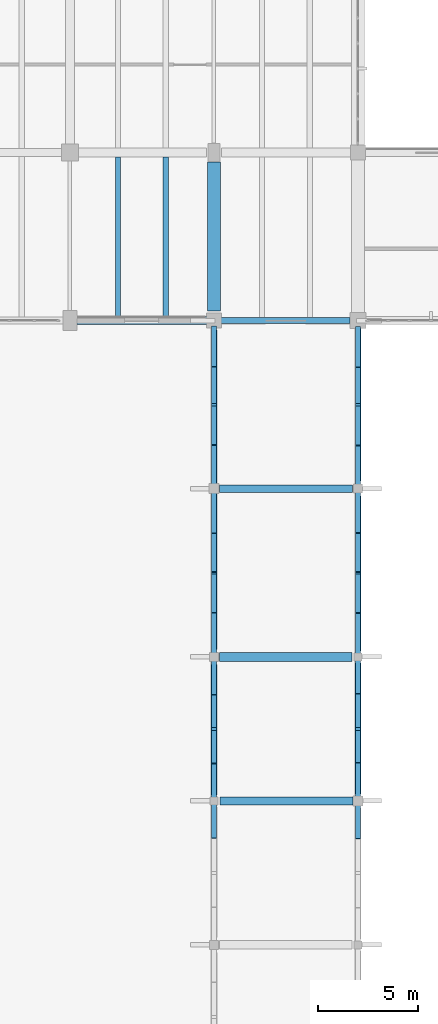
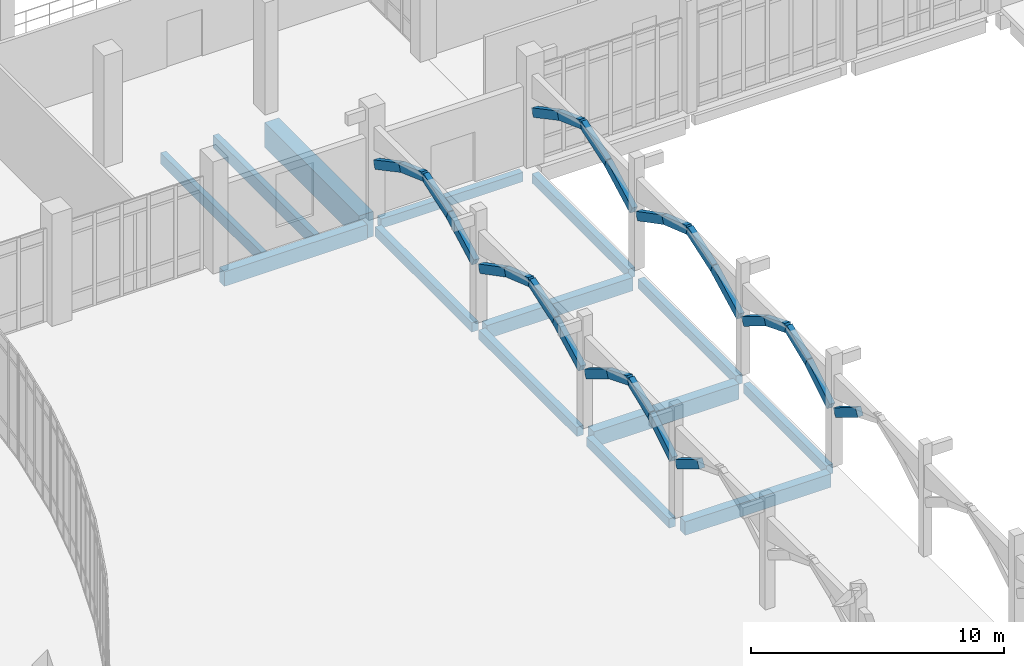
# One storey, part 52 of 110: 26 members, 14 beams.
"""IFC4 building model written with IfcOpenShell, lengths in metres."""

from ifc_helpers import new_model, si_unit, direction, frame, origin, origin_2d, place, context, subcontext, project, spatial, rectangle, extrude, material, material_profile, profile_set, type_object, element, save


model = new_model("IFC4")

# Units and contexts
model_context = context("Model", 3, precision=1e-05, world=origin(), true_north=direction((0.0, 1.0)))
body_context = subcontext(model_context, "Body", "Model", "MODEL_VIEW")
ifc_project = project(units=[si_unit("LENGTHUNIT", "METRE"), si_unit("AREAUNIT", "SQUARE_METRE"), si_unit("VOLUMEUNIT", "CUBIC_METRE"), si_unit("PLANEANGLEUNIT", "RADIAN"), si_unit("MASSUNIT", "GRAM", prefix="KILO")], contexts=[model_context])

# Site, building, storey
site_placement = place(None, origin())
site = spatial("IfcSite", under=ifc_project, at=site_placement, CompositionType="ELEMENT")
building_placement = place(site_placement, origin())
building = spatial("IfcBuilding", under=site, at=building_placement, Name="Kalluvel Institute of Natural Sciences", CompositionType="ELEMENT")
storey_placement = place(building_placement, origin())
storey = spatial("IfcBuildingStorey", under=building, at=storey_placement, Name="L00", CompositionType="ELEMENT", Elevation=0.0)

# Beams
ifc_material_1 = material(Name="Concrete M40", Category="concrete")
ifc_material_profile_1 = material_profile(ifc_material_1, rectangle(XDim=0.3798828125, YDim=0.639892578125, at=origin_2d()), Name="RCB 380x640")
ifc_profile_set_1 = profile_set([ifc_material_profile_1], Name="Concrete M40")
beam_type_1 = type_object("IfcBeamType", Name="BM-RC380x640", PredefinedType="BEAM", material=ifc_profile_set_1)
beam_1_placement = place(storey_placement, frame((107.875, 94.39990234375, -0.639892578125), z_axis=(1.0, 0.0, 0.0), x_axis=(0.0, 1.0, 0.0)))
element("IfcBeam", 1, at=beam_1_placement, inside=storey, type_object=beam_type_1, Name="L00 girder GIR-L00-EW-X1076-Y944", PredefinedType="BEAM", context=body_context, shape_type="SweptSolid", body=[
    extrude(rectangle(XDim=0.3798828125, YDim=0.639892578125, at=origin_2d()), origin(), (0.0, 0.0, 1.0), 6.64990234375),
])
ifc_material_profile_2 = material_profile(ifc_material_1, rectangle(XDim=0.39990234375, YDim=0.64990234375, at=origin_2d()), Name="RCB 400x650")
ifc_profile_set_2 = profile_set([ifc_material_profile_2], Name="Concrete M40")
beam_type_2 = type_object("IfcBeamType", Name="BM-RC400x650", PredefinedType="BEAM", material=ifc_profile_set_2)
beam_2_placement = place(storey_placement, frame((107.89990234375, 78.800048828125, -0.64501953125), z_axis=(1.0, 0.0, 0.0), x_axis=(0.0, 1.0, 0.0)))
element("IfcBeam", 2, at=beam_2_placement, inside=storey, type_object=beam_type_2, Name="L00 girder GIR-L00-EW-X1076-Y788", PredefinedType="BEAM", context=body_context, shape_type="SweptSolid", body=[
    extrude(rectangle(XDim=0.39990234375, YDim=0.64990234375, at=origin_2d()), origin(), (0.0, 0.0, 1.0), 6.650146484375),
])
ifc_material_profile_3 = material_profile(ifc_material_1, rectangle(XDim=0.449951171875, YDim=0.75, at=origin_2d()), Name="RCB 450x750")
ifc_profile_set_3 = profile_set([ifc_material_profile_3], Name="Concrete M40")
beam_type_3 = type_object("IfcBeamType", Name="BM-RC450x750", PredefinedType="BEAM", material=ifc_profile_set_3)
beam_3_placement = place(storey_placement, frame((107.875, 86.0, -0.695068359375), z_axis=(1.0, 0.0, 0.0), x_axis=(0.0, 1.0, 0.0)))
element("IfcBeam", 3, at=beam_3_placement, inside=storey, type_object=beam_type_3, Name="L00 girder GIR-L00-EW-X1076-Y860", PredefinedType="BEAM", context=body_context, shape_type="SweptSolid", body=[
    extrude(rectangle(XDim=0.449951171875, YDim=0.75, at=origin_2d()), origin(), (0.0, 0.0, 1.0), 6.625),
])
ifc_material_2 = material(Name="Concrete M50", Category="concrete")
ifc_material_profile_4 = material_profile(ifc_material_2, rectangle(XDim=0.64990234375, YDim=1.199951171875, at=origin_2d()), Name="RCB 650x1200")
ifc_profile_set_4 = profile_set([ifc_material_profile_4], Name="Concrete M50")
beam_type_4 = type_object("IfcBeamType", Name="BM-RC650x1200", PredefinedType="BEAM", material=ifc_profile_set_4)
beam_4_placement = place(storey_placement, frame((107.60009765625, 103.27490234375, -0.919921875), z_axis=(0.0, 1.0, 0.0), x_axis=(-1.0, 0.0, 0.0)))
element("IfcBeam", 4, at=beam_4_placement, inside=storey, type_object=beam_type_4, Name="L00 girder GIR-L00-NS-X1076-Y1028", PredefinedType="BEAM", context=body_context, shape_type="SweptSolid", body=[
    extrude(rectangle(XDim=0.64990234375, YDim=1.199951171875, at=origin_2d()), origin(), (0.0, 0.0, 1.0), 7.4501953125),
])

# Members
ifc_material_3 = material(Name="Sadarahalli Granite Precast Concrete M45", Category="masonry")
ifc_material_profile_5 = material_profile(ifc_material_3, rectangle(XDim=0.25, YDim=0.39990234375, at=origin_2d()), Name="RCB 250x400")
ifc_profile_set_5 = profile_set([ifc_material_profile_5], Name="Sadarahalli Granite Precast Concrete M45")
member_type = type_object("IfcMemberType", Name="MB-CL-ARCH250", PredefinedType="USERDEFINED", material=ifc_profile_set_5)
member_1_placement = place(storey_placement, frame((107.60009765625, 76.845703125, 3.679931640625), z_axis=(0.0, 0.853581578876, -0.520959200134), x_axis=(-1.0, 0.0, 0.0)))
element("IfcMember", 5, at=member_1_placement, inside=storey, type_object=member_type, Name="Gothic cloister pointed-lancet arch segment 116", ObjectType="ARCH_SEGMENT", PredefinedType="USERDEFINED", context=body_context, shape_type="SweptSolid", body=[
    extrude(rectangle(XDim=0.25, YDim=0.39990234375, at=origin_2d()), origin(), (0.0, 0.0, 1.0), 2.07275390625),
])
member_2_placement = place(storey_placement, frame((114.800048828125, 76.80224609375, 3.679931640625), z_axis=(0.0, 0.852714959233, -0.522376490954), x_axis=(-1.0, 0.0, 0.0)))
element("IfcMember", 6, at=member_2_placement, inside=storey, type_object=member_type, Name="Gothic cloister pointed-lancet arch segment 120", ObjectType="ARCH_SEGMENT", PredefinedType="USERDEFINED", context=body_context, shape_type="SweptSolid", body=[
    extrude(rectangle(XDim=0.25, YDim=0.39990234375, at=origin_2d()), origin(), (0.0, 0.0, 1.0), 2.067138671875),
])
member_3_placement = place(storey_placement, frame((107.60009765625, 78.985107421875, 2.60009765625), z_axis=(0.0, 0.853581578876, 0.520959200134), x_axis=(-1.0, 0.0, 0.0)))
element("IfcMember", 7, at=member_3_placement, inside=storey, type_object=member_type, Name="Gothic cloister pointed-lancet arch segment 121", ObjectType="ARCH_SEGMENT", PredefinedType="USERDEFINED", context=body_context, shape_type="SweptSolid", body=[
    extrude(rectangle(XDim=0.25, YDim=0.39990234375, at=origin_2d()), origin(), (0.0, 0.0, 1.0), 2.07275390625),
])
member_4_placement = place(storey_placement, frame((107.60009765625, 80.75439453125, 3.679931640625), z_axis=(0.0, 0.928096343837, 0.372340135569), x_axis=(-1.0, 0.0, 0.0)))
element("IfcMember", 8, at=member_4_placement, inside=storey, type_object=member_type, Name="Gothic cloister pointed-lancet arch segment 122", ObjectType="ARCH_SEGMENT", PredefinedType="USERDEFINED", context=body_context, shape_type="SweptSolid", body=[
    extrude(rectangle(XDim=0.25, YDim=0.39990234375, at=origin_2d()), origin(), (0.0, 0.0, 1.0), 1.77294921875),
])
member_5_placement = place(storey_placement, frame((107.60009765625, 82.39990234375, 4.340087890625), z_axis=(0.0, 0.926130265852, -0.377203831731), x_axis=(-1.0, 0.0, 0.0)))
element("IfcMember", 9, at=member_5_placement, inside=storey, type_object=member_type, Name="Gothic cloister pointed-lancet arch segment 123", ObjectType="ARCH_SEGMENT", PredefinedType="USERDEFINED", context=body_context, shape_type="SweptSolid", body=[
    extrude(rectangle(XDim=0.25, YDim=0.39990234375, at=origin_2d()), origin(), (0.0, 0.0, 1.0), 1.750244140625),
])
member_6_placement = place(storey_placement, frame((107.60009765625, 84.020751953125, 3.679931640625), z_axis=(0.0, 0.853581578876, -0.520959200134), x_axis=(-1.0, 0.0, 0.0)))
element("IfcMember", 10, at=member_6_placement, inside=storey, type_object=member_type, Name="Gothic cloister pointed-lancet arch segment 124", ObjectType="ARCH_SEGMENT", PredefinedType="USERDEFINED", context=body_context, shape_type="SweptSolid", body=[
    extrude(rectangle(XDim=0.25, YDim=0.39990234375, at=origin_2d()), origin(), (0.0, 0.0, 1.0), 2.07275390625),
])
member_7_placement = place(storey_placement, frame((114.800048828125, 79.034912109375, 2.60009765625), z_axis=(0.0, 0.852747182407, 0.522323886967), x_axis=(-1.0, 0.0, 0.0)))
element("IfcMember", 11, at=member_7_placement, inside=storey, type_object=member_type, Name="Gothic cloister pointed-lancet arch segment 125", ObjectType="ARCH_SEGMENT", PredefinedType="USERDEFINED", context=body_context, shape_type="SweptSolid", body=[
    extrude(rectangle(XDim=0.25, YDim=0.39990234375, at=origin_2d()), origin(), (0.0, 0.0, 1.0), 2.0673828125),
])
member_8_placement = place(storey_placement, frame((114.800048828125, 80.7978515625, 3.679931640625), z_axis=(0.0, 0.924578854219, 0.380990737855), x_axis=(-1.0, 0.0, 0.0)))
element("IfcMember", 12, at=member_8_placement, inside=storey, type_object=member_type, Name="Gothic cloister pointed-lancet arch segment 126", ObjectType="ARCH_SEGMENT", PredefinedType="USERDEFINED", context=body_context, shape_type="SweptSolid", body=[
    extrude(rectangle(XDim=0.25, YDim=0.39990234375, at=origin_2d()), origin(), (0.0, 0.0, 1.0), 1.732666015625),
])
member_9_placement = place(storey_placement, frame((114.800048828125, 82.39990234375, 4.340087890625), z_axis=(0.0, 0.928628016361, -0.371012138924), x_axis=(-1.0, 0.0, 0.0)))
element("IfcMember", 13, at=member_9_placement, inside=storey, type_object=member_type, Name="Gothic cloister pointed-lancet arch segment 127", ObjectType="ARCH_SEGMENT", PredefinedType="USERDEFINED", context=body_context, shape_type="SweptSolid", body=[
    extrude(rectangle(XDim=0.25, YDim=0.39990234375, at=origin_2d()), origin(), (0.0, 0.0, 1.0), 1.779296875),
])
member_10_placement = place(storey_placement, frame((114.800048828125, 84.05224609375, 3.679931640625), z_axis=(0.0, 0.852714959233, -0.522376490954), x_axis=(-1.0, 0.0, 0.0)))
element("IfcMember", 14, at=member_10_placement, inside=storey, type_object=member_type, Name="Gothic cloister pointed-lancet arch segment 128", ObjectType="ARCH_SEGMENT", PredefinedType="USERDEFINED", context=body_context, shape_type="SweptSolid", body=[
    extrude(rectangle(XDim=0.25, YDim=0.39990234375, at=origin_2d()), origin(), (0.0, 0.0, 1.0), 2.067138671875),
])
member_11_placement = place(storey_placement, frame((107.60009765625, 86.2099609375, 2.60009765625), z_axis=(0.0, 0.886463545391, 0.462798425551), x_axis=(-1.0, 0.0, 0.0)))
element("IfcMember", 15, at=member_11_placement, inside=storey, type_object=member_type, Name="Gothic cloister pointed-lancet arch segment 129", ObjectType="ARCH_SEGMENT", PredefinedType="USERDEFINED", context=body_context, shape_type="SweptSolid", body=[
    extrude(rectangle(XDim=0.25, YDim=0.39990234375, at=origin_2d()), origin(), (0.0, 0.0, 1.0), 2.333251953125),
])
member_12_placement = place(storey_placement, frame((107.60009765625, 88.2783203125, 3.679931640625), z_axis=(0.0, 0.945747762417, 0.32490178498), x_axis=(-1.0, 0.0, 0.0)))
element("IfcMember", 16, at=member_12_placement, inside=storey, type_object=member_type, Name="Gothic cloister pointed-lancet arch segment 130", ObjectType="ARCH_SEGMENT", PredefinedType="USERDEFINED", context=body_context, shape_type="SweptSolid", body=[
    extrude(rectangle(XDim=0.25, YDim=0.39990234375, at=origin_2d()), origin(), (0.0, 0.0, 1.0), 2.031982421875),
])
member_13_placement = place(storey_placement, frame((107.60009765625, 90.199951171875, 4.340087890625), z_axis=(0.0, 0.944431178384, -0.328709216933), x_axis=(-1.0, 0.0, 0.0)))
element("IfcMember", 17, at=member_13_placement, inside=storey, type_object=member_type, Name="Gothic cloister pointed-lancet arch segment 131", ObjectType="ARCH_SEGMENT", PredefinedType="USERDEFINED", context=body_context, shape_type="SweptSolid", body=[
    extrude(rectangle(XDim=0.25, YDim=0.39990234375, at=origin_2d()), origin(), (0.0, 0.0, 1.0), 2.00830078125),
])
member_14_placement = place(storey_placement, frame((107.60009765625, 92.0966796875, 3.679931640625), z_axis=(0.0, 0.886463545391, -0.462798425551), x_axis=(-1.0, 0.0, 0.0)))
element("IfcMember", 18, at=member_14_placement, inside=storey, type_object=member_type, Name="Gothic cloister pointed-lancet arch segment 132", ObjectType="ARCH_SEGMENT", PredefinedType="USERDEFINED", context=body_context, shape_type="SweptSolid", body=[
    extrude(rectangle(XDim=0.25, YDim=0.39990234375, at=origin_2d()), origin(), (0.0, 0.0, 1.0), 2.333251953125),
])
member_15_placement = place(storey_placement, frame((114.800048828125, 86.18505859375, 2.60009765625), z_axis=(0.0, 0.887642615962, 0.46053293729), x_axis=(-1.0, 0.0, 0.0)))
element("IfcMember", 19, at=member_15_placement, inside=storey, type_object=member_type, Name="Gothic cloister pointed-lancet arch segment 133", ObjectType="ARCH_SEGMENT", PredefinedType="USERDEFINED", context=body_context, shape_type="SweptSolid", body=[
    extrude(rectangle(XDim=0.25, YDim=0.39990234375, at=origin_2d()), origin(), (0.0, 0.0, 1.0), 2.3447265625),
])
member_16_placement = place(storey_placement, frame((114.800048828125, 88.266357421875, 3.679931640625), z_axis=(0.0, 0.946364115058, 0.323102091808), x_axis=(-1.0, 0.0, 0.0)))
element("IfcMember", 20, at=member_16_placement, inside=storey, type_object=member_type, Name="Gothic cloister pointed-lancet arch segment 134", ObjectType="ARCH_SEGMENT", PredefinedType="USERDEFINED", context=body_context, shape_type="SweptSolid", body=[
    extrude(rectangle(XDim=0.25, YDim=0.39990234375, at=origin_2d()), origin(), (0.0, 0.0, 1.0), 2.043212890625),
])
member_17_placement = place(storey_placement, frame((114.800048828125, 90.199951171875, 4.340087890625), z_axis=(0.0, 0.94506939987, -0.326869743828), x_axis=(-1.0, 0.0, 0.0)))
element("IfcMember", 21, at=member_17_placement, inside=storey, type_object=member_type, Name="Gothic cloister pointed-lancet arch segment 135", ObjectType="ARCH_SEGMENT", PredefinedType="USERDEFINED", context=body_context, shape_type="SweptSolid", body=[
    extrude(rectangle(XDim=0.25, YDim=0.39990234375, at=origin_2d()), origin(), (0.0, 0.0, 1.0), 2.01953125),
])
member_18_placement = place(storey_placement, frame((114.800048828125, 92.108642578125, 3.679931640625), z_axis=(0.0, 0.887642615962, -0.46053293729), x_axis=(-1.0, 0.0, 0.0)))
element("IfcMember", 22, at=member_18_placement, inside=storey, type_object=member_type, Name="Gothic cloister pointed-lancet arch segment 136", ObjectType="ARCH_SEGMENT", PredefinedType="USERDEFINED", context=body_context, shape_type="SweptSolid", body=[
    extrude(rectangle(XDim=0.25, YDim=0.39990234375, at=origin_2d()), origin(), (0.0, 0.0, 1.0), 2.3447265625),
])
member_19_placement = place(storey_placement, frame((107.60009765625, 94.635009765625, 2.60009765625), z_axis=(0.0, 0.882796488424, 0.469755638631), x_axis=(-1.0, 0.0, 0.0)))
element("IfcMember", 23, at=member_19_placement, inside=storey, type_object=member_type, Name="Gothic cloister pointed-lancet arch segment 137", ObjectType="ARCH_SEGMENT", PredefinedType="USERDEFINED", context=body_context, shape_type="SweptSolid", body=[
    extrude(rectangle(XDim=0.25, YDim=0.39990234375, at=origin_2d()), origin(), (0.0, 0.0, 1.0), 2.298828125),
])
member_20_placement = place(storey_placement, frame((107.60009765625, 96.664306640625, 3.679931640625), z_axis=(0.0, 0.946476211675, 0.322773575024), x_axis=(-1.0, 0.0, 0.0)))
element("IfcMember", 24, at=member_20_placement, inside=storey, type_object=member_type, Name="Gothic cloister pointed-lancet arch segment 138", ObjectType="ARCH_SEGMENT", PredefinedType="USERDEFINED", context=body_context, shape_type="SweptSolid", body=[
    extrude(rectangle(XDim=0.25, YDim=0.39990234375, at=origin_2d()), origin(), (0.0, 0.0, 1.0), 2.045166015625),
])
member_21_placement = place(storey_placement, frame((107.60009765625, 98.60009765625, 4.340087890625), z_axis=(0.0, 0.939497164239, -0.342556679086), x_axis=(-1.0, 0.0, 0.0)))
element("IfcMember", 25, at=member_21_placement, inside=storey, type_object=member_type, Name="Gothic cloister pointed-lancet arch segment 139", ObjectType="ARCH_SEGMENT", PredefinedType="USERDEFINED", context=body_context, shape_type="SweptSolid", body=[
    extrude(rectangle(XDim=0.25, YDim=0.39990234375, at=origin_2d()), origin(), (0.0, 0.0, 1.0), 1.92724609375),
])
for number, where, z_axis, x_axis, name in (
    (26, (107.60009765625, 100.41064453125, 3.679931640625), (0.0, 0.882796488424, -0.469755638631), (-1.0, 0.0, 0.0), "Gothic cloister pointed-lancet arch segment 140"),
    (27, (114.800048828125, 94.610107421875, 2.60009765625), (0.0, 0.882796488424, 0.469755638631), (-1.0, 0.0, 0.0), "Gothic cloister pointed-lancet arch segment 141"),
):
    element("IfcMember", number, at=place(storey_placement, frame(where, z_axis=z_axis, x_axis=x_axis)), inside=storey, type_object=member_type, Name=name, ObjectType="ARCH_SEGMENT", PredefinedType="USERDEFINED", context=body_context, shape_type="SweptSolid", body=[
        extrude(rectangle(XDim=0.25, YDim=0.39990234375, at=origin_2d()), origin(), (0.0, 0.0, 1.0), 2.298828125),
    ])
member_22_placement = place(storey_placement, frame((114.800048828125, 96.639404296875, 3.679931640625), z_axis=(0.0, 0.947723098422, 0.319093918333), x_axis=(-1.0, 0.0, 0.0)))
element("IfcMember", 28, at=member_22_placement, inside=storey, type_object=member_type, Name="Gothic cloister pointed-lancet arch segment 142", ObjectType="ARCH_SEGMENT", PredefinedType="USERDEFINED", context=body_context, shape_type="SweptSolid", body=[
    extrude(rectangle(XDim=0.25, YDim=0.39990234375, at=origin_2d()), origin(), (0.0, 0.0, 1.0), 2.06884765625),
])
member_23_placement = place(storey_placement, frame((114.800048828125, 98.60009765625, 4.340087890625), z_axis=(0.0, 0.937952793806, -0.346762968888), x_axis=(-1.0, 0.0, 0.0)))
element("IfcMember", 29, at=member_23_placement, inside=storey, type_object=member_type, Name="Gothic cloister pointed-lancet arch segment 143", ObjectType="ARCH_SEGMENT", PredefinedType="USERDEFINED", context=body_context, shape_type="SweptSolid", body=[
    extrude(rectangle(XDim=0.25, YDim=0.39990234375, at=origin_2d()), origin(), (0.0, 0.0, 1.0), 1.90380859375),
])
member_24_placement = place(storey_placement, frame((114.800048828125, 100.3857421875, 3.679931640625), z_axis=(0.0, 0.882796488424, -0.469755638631), x_axis=(-1.0, 0.0, 0.0)))
element("IfcMember", 30, at=member_24_placement, inside=storey, type_object=member_type, Name="Gothic cloister pointed-lancet arch segment 144", ObjectType="ARCH_SEGMENT", PredefinedType="USERDEFINED", context=body_context, shape_type="SweptSolid", body=[
    extrude(rectangle(XDim=0.25, YDim=0.39990234375, at=origin_2d()), origin(), (0.0, 0.0, 1.0), 2.298828125),
])

# Beams
ifc_material_profile_6 = material_profile(ifc_material_1, rectangle(XDim=0.300048828125, YDim=0.449951171875, at=origin_2d()), Name="RCB 300x450")
ifc_profile_set_6 = profile_set([ifc_material_profile_6], Name="Concrete M40")
beam_type_5 = type_object("IfcBeamType", Name="SP-RC300x450", PredefinedType="SPANDREL", material=ifc_profile_set_6)
beam_5_placement = place(storey_placement, frame((107.925048828125, 102.800048828125, -0.544921875), z_axis=(1.0, 0.0, 0.0), x_axis=(0.0, 1.0, 0.0)))
element("IfcBeam", 31, at=beam_5_placement, inside=storey, type_object=beam_type_5, Name="L00 girder GIR-L00-EW-X1076-Y1028", PredefinedType="SPANDREL", context=body_context, shape_type="SweptSolid", body=[
    extrude(rectangle(XDim=0.300048828125, YDim=0.449951171875, at=origin_2d()), origin(), (0.0, 0.0, 1.0), 6.474853515625),
])
beam_6_placement = place(storey_placement, frame((107.60009765625, 79.10009765625, -0.544921875), z_axis=(0.0, 1.0, 0.0), x_axis=(-1.0, 0.0, 0.0)))
element("IfcBeam", 32, at=beam_6_placement, inside=storey, type_object=beam_type_5, Name="L00 girder GIR-L00-NS-X1076-Y788", PredefinedType="SPANDREL", context=body_context, shape_type="SweptSolid", body=[
    extrude(rectangle(XDim=0.300048828125, YDim=0.449951171875, at=origin_2d()), origin(), (0.0, 0.0, 1.0), 6.52490234375),
])
beam_7_placement = place(storey_placement, frame((107.60009765625, 86.375, -0.544921875), z_axis=(0.0, 1.0, 0.0), x_axis=(-1.0, 0.0, 0.0)))
element("IfcBeam", 33, at=beam_7_placement, inside=storey, type_object=beam_type_5, Name="L00 girder GIR-L00-NS-X1076-Y860", PredefinedType="SPANDREL", context=body_context, shape_type="SweptSolid", body=[
    extrude(rectangle(XDim=0.300048828125, YDim=0.449951171875, at=origin_2d()), origin(), (0.0, 0.0, 1.0), 7.75),
])
beam_8_placement = place(storey_placement, frame((107.60009765625, 94.675048828125, -0.544921875), z_axis=(0.0, 1.0, 0.0), x_axis=(-1.0, 0.0, 0.0)))
element("IfcBeam", 34, at=beam_8_placement, inside=storey, type_object=beam_type_5, Name="L00 girder GIR-L00-NS-X1076-Y944", PredefinedType="SPANDREL", context=body_context, shape_type="SweptSolid", body=[
    extrude(rectangle(XDim=0.300048828125, YDim=0.449951171875, at=origin_2d()), origin(), (0.0, 0.0, 1.0), 7.64990234375),
])
beam_9_placement = place(storey_placement, frame((114.800048828125, 79.14990234375, -0.544921875), z_axis=(0.0, 1.0, 0.0), x_axis=(-1.0, 0.0, 0.0)))
element("IfcBeam", 35, at=beam_9_placement, inside=storey, type_object=beam_type_5, Name="L00 girder GIR-L00-NS-X1148-Y788", PredefinedType="SPANDREL", context=body_context, shape_type="SweptSolid", body=[
    extrude(rectangle(XDim=0.300048828125, YDim=0.449951171875, at=origin_2d()), origin(), (0.0, 0.0, 1.0), 6.550048828125),
])
beam_10_placement = place(storey_placement, frame((114.800048828125, 86.300048828125, -0.544921875), z_axis=(0.0, 1.0, 0.0), x_axis=(-1.0, 0.0, 0.0)))
element("IfcBeam", 36, at=beam_10_placement, inside=storey, type_object=beam_type_5, Name="L00 girder GIR-L00-NS-X1148-Y860", PredefinedType="SPANDREL", context=body_context, shape_type="SweptSolid", body=[
    extrude(rectangle(XDim=0.300048828125, YDim=0.449951171875, at=origin_2d()), origin(), (0.0, 0.0, 1.0), 7.724853515625),
])
beam_11_placement = place(storey_placement, frame((114.800048828125, 94.77490234375, -0.544921875), z_axis=(0.0, 1.0, 0.0), x_axis=(-1.0, 0.0, 0.0)))
element("IfcBeam", 37, at=beam_11_placement, inside=storey, type_object=beam_type_5, Name="L00 girder GIR-L00-NS-X1148-Y944", PredefinedType="SPANDREL", context=body_context, shape_type="SweptSolid", body=[
    extrude(rectangle(XDim=0.300048828125, YDim=0.449951171875, at=origin_2d()), origin(), (0.0, 0.0, 1.0), 7.625),
])
ifc_material_profile_7 = material_profile(ifc_material_1, rectangle(XDim=0.39990234375, YDim=0.699951171875, at=origin_2d()), Name="RCB 400x700")
ifc_profile_set_7 = profile_set([ifc_material_profile_7], Name="Concrete M40")
beam_type_6 = type_object("IfcBeamType", Name="SP-RC400x700", PredefinedType="SPANDREL", material=ifc_profile_set_7)
beam_12_placement = place(storey_placement, frame((100.75, 102.800048828125, -0.669921875), z_axis=(1.0, 0.0, 0.0), x_axis=(0.0, 1.0, 0.0)))
element("IfcBeam", 38, at=beam_12_placement, inside=storey, type_object=beam_type_6, Name="L00 girder GIR-L00-EW-X1004-Y1028", PredefinedType="SPANDREL", context=body_context, shape_type="SweptSolid", body=[
    extrude(rectangle(XDim=0.39990234375, YDim=0.699951171875, at=origin_2d()), origin(), (0.0, 0.0, 1.0), 6.52490234375),
])
ifc_material_profile_8 = material_profile(ifc_material_1, rectangle(XDim=0.25, YDim=0.550048828125, at=origin_2d()), Name="WAF 250x550")
ifc_profile_set_8 = profile_set([ifc_material_profile_8], Name="Concrete M40")
beam_type_7 = type_object("IfcBeamType", Name="WJ-250x550", PredefinedType="JOIST", material=ifc_profile_set_8)
beam_13_placement = place(storey_placement, frame((102.800048828125, 103.0, -0.594970703125), z_axis=(0.0, 1.0, 0.0), x_axis=(-1.0, 0.0, 0.0)))
element("IfcBeam", 39, at=beam_13_placement, inside=storey, type_object=beam_type_7, Name="L00 waffle joist RIB-L00-0060", PredefinedType="JOIST", context=body_context, shape_type="SweptSolid", body=[
    extrude(rectangle(XDim=0.25, YDim=0.550048828125, at=origin_2d()), origin(), (0.0, 0.0, 1.0), 7.97509765625),
])
ifc_material_profile_9 = material_profile(ifc_material_2, rectangle(XDim=0.260009765625, YDim=0.6201171875, at=origin_2d()), Name="WAF 260x620")
ifc_profile_set_9 = profile_set([ifc_material_profile_9], Name="Concrete M50")
beam_type_8 = type_object("IfcBeamType", Name="WJ-260x620", PredefinedType="JOIST", material=ifc_profile_set_9)
beam_14_placement = place(storey_placement, frame((105.199951171875, 103.0, -0.6298828125), z_axis=(0.0, 1.0, 0.0), x_axis=(-1.0, 0.0, 0.0)))
element("IfcBeam", 40, at=beam_14_placement, inside=storey, type_object=beam_type_8, Name="L00 waffle joist RIB-L00-0061", PredefinedType="JOIST", context=body_context, shape_type="SweptSolid", body=[
    extrude(rectangle(XDim=0.260009765625, YDim=0.6201171875, at=origin_2d()), origin(), (0.0, 0.0, 1.0), 7.97509765625),
])

save(model, "model.ifc")
